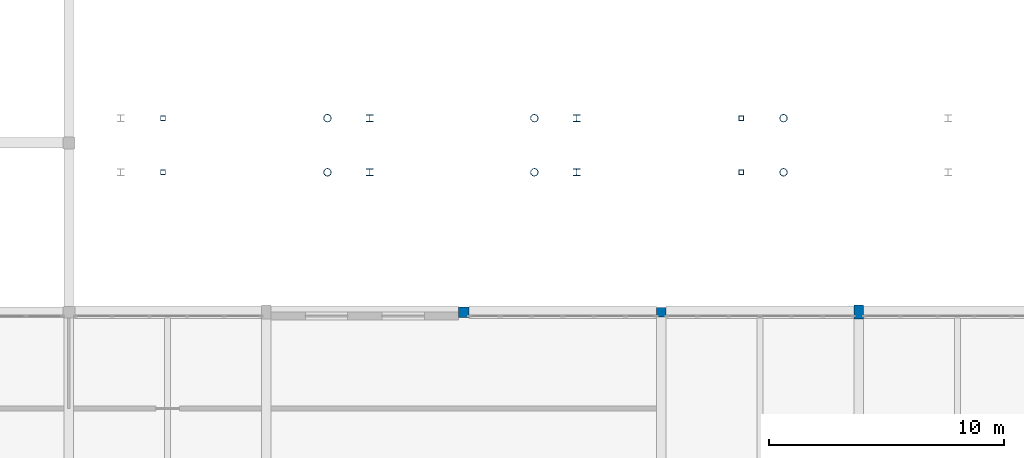
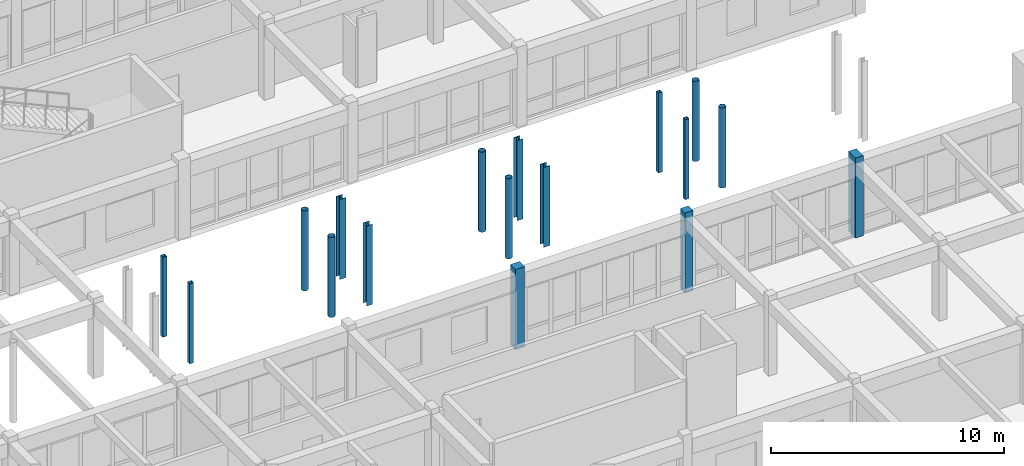
# One storey, part 8 of 147: 17 columns.
"""IFC4 building model written with IfcOpenShell, lengths in metres."""

from ifc_helpers import new_model, si_unit, direction, frame, origin, origin_2d, place, context, subcontext, project, spatial, rectangle, hollow_rectangle, hollow_circle, i_section, extrude, material, material_profile, profile_set, type_object, element, save


model = new_model("IFC4")

# Units and contexts
model_context = context("Model", 3, precision=1e-05, world=origin(), true_north=direction((0.0, 1.0)))
body_context = subcontext(model_context, "Body", "Model", "MODEL_VIEW")
ifc_project = project(units=[si_unit("LENGTHUNIT", "METRE"), si_unit("AREAUNIT", "SQUARE_METRE"), si_unit("VOLUMEUNIT", "CUBIC_METRE"), si_unit("PLANEANGLEUNIT", "RADIAN"), si_unit("MASSUNIT", "GRAM", prefix="KILO")], contexts=[model_context])

# Site, building, storey
site_placement = place(None, origin())
site = spatial("IfcSite", under=ifc_project, at=site_placement, CompositionType="ELEMENT")
building_placement = place(site_placement, origin())
building = spatial("IfcBuilding", under=site, at=building_placement, Name="Malvenik Polytechnic", CompositionType="ELEMENT")
storey_placement = place(building_placement, frame((0.0, 0.0, 5.10009765625)))
storey = spatial("IfcBuildingStorey", under=building, at=storey_placement, Name="L01", CompositionType="ELEMENT", Elevation=5.10009765625)

# Columns
ifc_material_1 = material(Name="Concrete C35/45", Category="concrete")
ifc_material_profile_1 = material_profile(ifc_material_1, rectangle(XDim=0.449951171875, YDim=0.449951171875, at=origin_2d()), Name="RC COL 450x450")
ifc_profile_set_1 = profile_set([ifc_material_profile_1], Name="Concrete C35/45")
column_type_1 = type_object("IfcColumnType", Name="STR-COL-C-09", PredefinedType="COLUMN", material=ifc_profile_set_1)
column_1_placement = place(storey_placement, frame((109.199951171875, 36.0, 0.0), z_axis=(0.0, 0.0, 1.0), x_axis=(1.0, 0.0, 0.0)))
element("IfcColumn", 1, at=column_1_placement, inside=storey, type_object=column_type_1, Name="Column C-09 L01 (109.2,36.0)", PredefinedType="COLUMN", context=body_context, shape_type="SweptSolid", body=[
    extrude(rectangle(XDim=0.449951171875, YDim=0.449951171875, at=origin_2d()), origin(), (0.0, 0.0, 1.0), 4.199951171875),
])
ifc_material_2 = material(Name="Concrete C30/37", Category="concrete")
ifc_material_profile_2 = material_profile(ifc_material_2, rectangle(XDim=0.39990234375, YDim=0.39990234375, at=origin_2d()), Name="RC COL 400x400")
ifc_profile_set_2 = profile_set([ifc_material_profile_2], Name="Concrete C30/37")
column_type_2 = type_object("IfcColumnType", Name="STR-COL-C-10", PredefinedType="COLUMN", material=ifc_profile_set_2)
column_2_placement = place(storey_placement, frame((117.60009765625, 36.0, 0.0), z_axis=(0.0, 0.0, 1.0), x_axis=(1.0, 0.0, 0.0)))
element("IfcColumn", 2, at=column_2_placement, inside=storey, type_object=column_type_2, Name="Column C-10 L01 (117.6,36.0)", PredefinedType="COLUMN", context=body_context, shape_type="SweptSolid", body=[
    extrude(rectangle(XDim=0.39990234375, YDim=0.39990234375, at=origin_2d()), origin(), (0.0, 0.0, 1.0), 4.199951171875),
])
ifc_material_profile_3 = material_profile(ifc_material_1, rectangle(XDim=0.39990234375, YDim=0.60009765625, at=origin_2d()), Name="RC COL 600x400")
ifc_profile_set_3 = profile_set([ifc_material_profile_3], Name="Concrete C35/45")
column_type_3 = type_object("IfcColumnType", Name="STR-COL-C-15", PredefinedType="COLUMN", material=ifc_profile_set_3)
column_3_placement = place(storey_placement, frame((126.0, 36.0, 0.0), z_axis=(0.0, 0.0, 1.0), x_axis=(1.0, 0.0, 0.0)))
element("IfcColumn", 3, at=column_3_placement, inside=storey, type_object=column_type_3, Name="Column C-15 L01 (126.0,36.0)", PredefinedType="COLUMN", context=body_context, shape_type="SweptSolid", body=[
    extrude(rectangle(XDim=0.39990234375, YDim=0.60009765625, at=origin_2d()), origin(), (0.0, 0.0, 1.0), 4.199951171875),
])
ifc_material_3 = material(Name="Steel S355J2H", Category="steel")
ifc_material_profile_4 = material_profile(ifc_material_3, hollow_rectangle(XDim=0.199951171875, YDim=0.199951171875, WallThickness=0.010009765625, at=origin_2d()), Name="SHS 200x200x10.0")
ifc_profile_set_4 = profile_set([ifc_material_profile_4], Name="Steel S355J2H")
column_type_4 = type_object("IfcColumnType", Name="STR-SCOL-SC-02", PredefinedType="COLUMN", material=ifc_profile_set_4)
for number, where, z_axis, x_axis, name in (
    (4, (96.39990234375, 41.949951171875, 0.0), (0.0, 0.0, 1.0), (1.0, 0.0, 0.0), "Bridge-Ramp Support Column SC-02 L01"),
    (5, (96.39990234375, 44.25, 0.0), (0.0, 0.0, 1.0), (1.0, 0.0, 0.0), "Bridge-Ramp Support Column SC-02 L01"),
    (6, (121.0, 41.949951171875, 0.0), (0.0, 0.0, 1.0), (1.0, 0.0, 0.0), "Bridge-Ramp Support Column SC-02 L01"),
    (7, (121.0, 44.25, 0.0), (0.0, 0.0, 1.0), (1.0, 0.0, 0.0), "Bridge-Ramp Support Column SC-02 L01"),
):
    element("IfcColumn", number, at=place(storey_placement, frame(where, z_axis=z_axis, x_axis=x_axis)), inside=storey, type_object=column_type_4, Name=name, PredefinedType="COLUMN", context=body_context, shape_type="SweptSolid", body=[
        extrude(hollow_rectangle(XDim=0.199951171875, YDim=0.199951171875, WallThickness=0.010009765625, at=origin_2d()), origin(), (0.0, 0.0, 1.0), 4.199951171875),
    ])
ifc_material_profile_5 = material_profile(ifc_material_3, hollow_circle(Radius=0.161865234375, WallThickness=0.012451171875, at=origin_2d()), Name="CHS 323.9x12.5")
ifc_profile_set_5 = profile_set([ifc_material_profile_5], Name="Steel S355J2H")
column_type_5 = type_object("IfcColumnType", Name="STR-SCOL-SC-04", PredefinedType="COLUMN", material=ifc_profile_set_5)
for number, where, z_axis, x_axis, name in (
    (8, (103.39990234375, 41.949951171875, 0.0), (0.0, 0.0, 1.0), (1.0, 0.0, 0.0), "Bridge-Ramp Support Column SC-04 L01"),
    (9, (103.39990234375, 44.25, 0.0), (0.0, 0.0, 1.0), (1.0, 0.0, 0.0), "Bridge-Ramp Support Column SC-04 L01"),
    (10, (112.199951171875, 41.949951171875, 0.0), (0.0, 0.0, 1.0), (1.0, 0.0, 0.0), "Bridge-Ramp Support Column SC-04 L01"),
    (11, (112.199951171875, 44.25, 0.0), (0.0, 0.0, 1.0), (1.0, 0.0, 0.0), "Bridge-Ramp Support Column SC-04 L01"),
    (12, (122.800048828125, 41.949951171875, 0.0), (0.0, 0.0, 1.0), (1.0, 0.0, 0.0), "Bridge-Ramp Support Column SC-04 L01"),
    (13, (122.800048828125, 44.25, 0.0), (0.0, 0.0, 1.0), (1.0, 0.0, 0.0), "Bridge-Ramp Support Column SC-04 L01"),
):
    element("IfcColumn", number, at=place(storey_placement, frame(where, z_axis=z_axis, x_axis=x_axis)), inside=storey, type_object=column_type_5, Name=name, PredefinedType="COLUMN", context=body_context, shape_type="SweptSolid", body=[
        extrude(hollow_circle(Radius=0.161865234375, WallThickness=0.012451171875, at=origin_2d()), origin(), (0.0, 0.0, 1.0), 4.199951171875),
    ])
ifc_material_4 = material(Name="Steel S355", Category="steel")
ifc_material_profile_6 = material_profile(ifc_material_4, i_section(OverallWidth=0.300048828125, OverallDepth=0.300048828125, WebThickness=0.010986328125, FlangeThickness=0.01904296875, FilletRadius=0.027099609375, at=origin_2d()), Name="HEB 300")
ifc_profile_set_6 = profile_set([ifc_material_profile_6], Name="Steel S355")
column_type_6 = type_object("IfcColumnType", Name="STR-SCOL-SC-05", PredefinedType="COLUMN", material=ifc_profile_set_6)
for number, where, z_axis, x_axis, name in (
    (14, (105.199951171875, 41.949951171875, 0.0), (0.0, 0.0, 1.0), (1.0, 0.0, 0.0), "Bridge-Ramp Support Column SC-05 L01"),
    (15, (105.199951171875, 44.25, 0.0), (0.0, 0.0, 1.0), (1.0, 0.0, 0.0), "Bridge-Ramp Support Column SC-05 L01"),
    (16, (114.0, 41.949951171875, 0.0), (0.0, 0.0, 1.0), (1.0, 0.0, 0.0), "Bridge-Ramp Support Column SC-05 L01"),
    (17, (114.0, 44.25, 0.0), (0.0, 0.0, 1.0), (1.0, 0.0, 0.0), "Bridge-Ramp Support Column SC-05 L01"),
):
    element("IfcColumn", number, at=place(storey_placement, frame(where, z_axis=z_axis, x_axis=x_axis)), inside=storey, type_object=column_type_6, Name=name, PredefinedType="COLUMN", context=body_context, shape_type="SweptSolid", body=[
        extrude(i_section(OverallWidth=0.300048828125, OverallDepth=0.300048828125, WebThickness=0.010986328125, FlangeThickness=0.01904296875, FilletRadius=0.027099609375, at=origin_2d()), origin(), (0.0, 0.0, 1.0), 4.199951171875),
    ])

save(model, "model.ifc")
